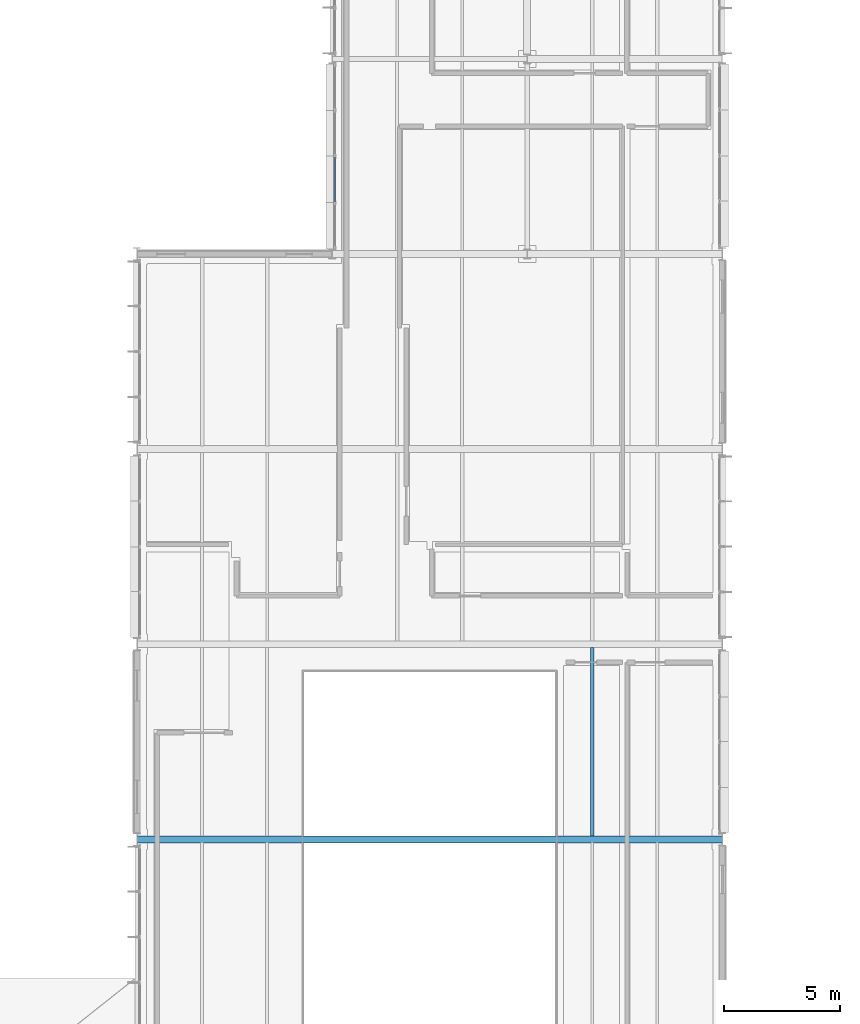
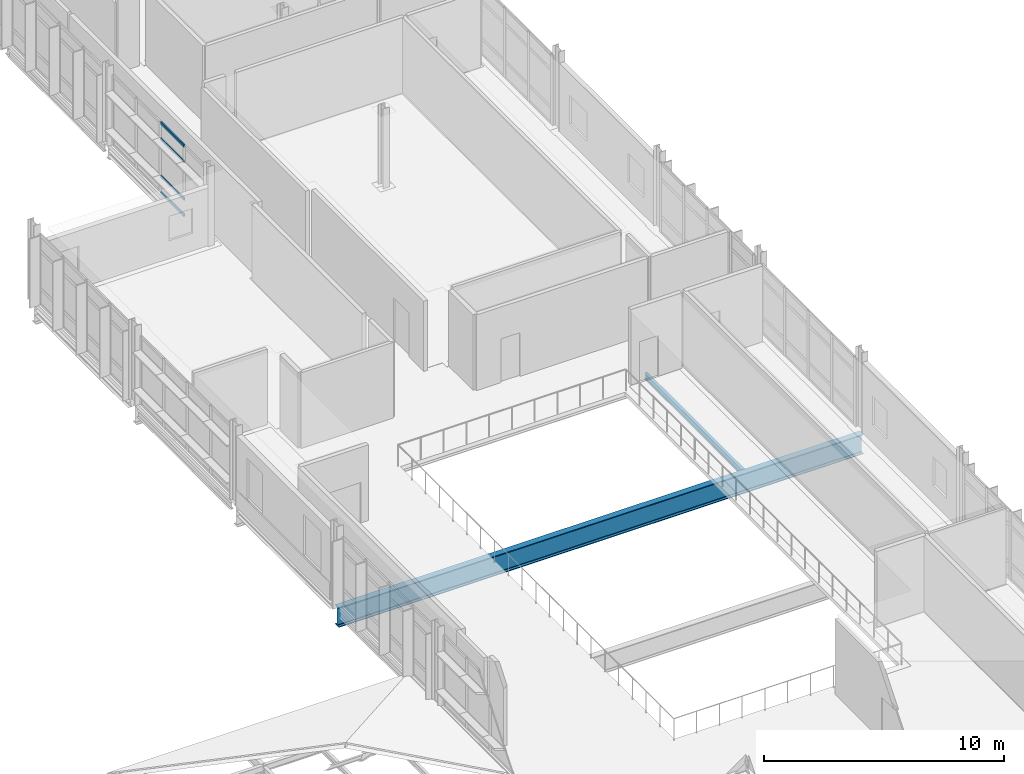
# One storey, part 59 of 151: 4 members, 2 beams, 1 element without a shape of its own.
"""IFC4 building model written with IfcOpenShell, lengths in metres."""

import ifcopenshell
import ifcopenshell.guid

model = None  # the IFC model being written
_history = None  # IfcOwnerHistory: only IFC2X3 demands one
_inside = {}  # id of a spatial element -> (the spatial element, [elements in it])
_under = {}  # id of a project, library or spatial element -> (it, [spatial elements below it])
_declared = {}  # id of a project -> (the project, [libraries it declares])
_typed = {}  # id of a type object -> (the type object, [elements of that type])
_made_of = {}  # id of a material, layer set ... -> (it, [elements and type objects made of it])


def new_model(schema):
    """Start an empty IFC model of exactly this schema.

    Asked for "IFC4X3", IfcOpenShell would pick the latest addendum, in which some entities
    have other attributes; the version numbers below select the first issue.
    IFC2X3 requires an IfcOwnerHistory on every rooted entity: one is made here for all.
    """
    global model, _history
    if schema == "IFC4X3":
        model = ifcopenshell.file(schema_version=(4, 3, 0, 0))
    else:
        model = ifcopenshell.file(schema=schema)
    _inside.clear()
    _under.clear()
    _declared.clear()
    _typed.clear()
    _made_of.clear()
    _history = None
    if model.schema == "IFC2X3":
        org = make("IfcOrganization", Name="unknown")
        user = make(
            "IfcPersonAndOrganization",
            ThePerson=make("IfcPerson", FamilyName="unknown"),
            TheOrganization=org,
        )
        app = make(
            "IfcApplication",
            ApplicationDeveloper=org,
            Version="unknown",
            ApplicationFullName="unknown",
            ApplicationIdentifier="unknown",
        )
        _history = make(
            "IfcOwnerHistory",
            OwningUser=user,
            OwningApplication=app,
            ChangeAction="ADDED",
            CreationDate=0,
        )
    return model


def make(cls, **values):
    """One entity of the class cls with the attributes given. An attribute that is None is left unset."""
    return model.create_entity(
        cls, **{name: value for name, value in values.items() if value is not None}
    )


def rooted(cls, **values):
    """An entity with a GlobalId (a new one), such as an element, a storey or a relation."""
    return make(cls, GlobalId=ifcopenshell.guid.new(), OwnerHistory=_history, **values)


def si_unit(unit_type, name, prefix=None):
    """IfcSIUnit, for example si_unit("LENGTHUNIT", "METRE", prefix="MILLI")."""
    return make("IfcSIUnit", UnitType=unit_type, Prefix=prefix, Name=name)


def assignment(units):
    """IfcUnitAssignment: the units of a project."""
    return None if units is None else make("IfcUnitAssignment", Units=units)


def point(xyz):
    """IfcCartesianPoint."""
    return None if xyz is None else make("IfcCartesianPoint", Coordinates=xyz)


def direction(xyz):
    """IfcDirection."""
    return None if xyz is None else make("IfcDirection", DirectionRatios=xyz)


def frame(location, z_axis=None, x_axis=None):
    """IfcAxis2Placement3D, a coordinate frame: its origin and axes. An axis left out is left unset."""
    return make(
        "IfcAxis2Placement3D",
        Location=point(location),
        Axis=direction(z_axis),
        RefDirection=direction(x_axis),
    )


def frame_2d(location, x_axis=None):
    """IfcAxis2Placement2D, a coordinate frame in the plane: its origin and x axis."""
    return make(
        "IfcAxis2Placement2D", Location=point(location), RefDirection=direction(x_axis)
    )


def origin():
    """The frame at (0, 0, 0) with its axes left unset."""
    return frame((0.0, 0.0, 0.0))


def origin_2d():
    """The frame at (0, 0) in the plane with its x axis left unset."""
    return frame_2d((0.0, 0.0))


def place(relative_to, where):
    """IfcLocalPlacement: puts the frame where relative to a parent placement (None: the world)."""
    return make(
        "IfcLocalPlacement", PlacementRelTo=relative_to, RelativePlacement=where
    )


def context(
    kind, dimensions, precision=None, world=None, true_north=None, identifier=None
):
    """IfcGeometricRepresentationContext, for example the 3D "Model" context."""
    return make(
        "IfcGeometricRepresentationContext",
        ContextIdentifier=identifier,
        ContextType=kind,
        CoordinateSpaceDimension=dimensions,
        Precision=precision,
        WorldCoordinateSystem=world,
        TrueNorth=true_north,
    )


def subcontext(parent, identifier, kind, view, scale=None):
    """IfcGeometricRepresentationSubContext, for example "Body" below "Model"."""
    return make(
        "IfcGeometricRepresentationSubContext",
        ContextIdentifier=identifier,
        ContextType=kind,
        ParentContext=parent,
        TargetScale=scale,
        TargetView=view,
    )


def project(units=None, contexts=None):
    """IfcProject with its units and contexts."""
    return rooted(
        "IfcProject",
        Name="project",
        RepresentationContexts=contexts,
        UnitsInContext=assignment(units),
    )


def spatial(cls, under=None, at=None, **own):
    """A site, building, storey or space (cls), placed at a placement, below another one or the project."""
    s = rooted(cls, ObjectPlacement=at, **own)
    if under is not None:
        _under.setdefault(under.id(), (under, []))[1].append(s)
    return s


def profile(cls, at=None, kind="AREA", **sizes):
    """A parametric profile (cls). Its sizes go by their IFC names, for example OverallWidth=200.0."""
    return make(cls, ProfileType=kind, Position=at, **sizes)


def hollow_rectangle(**sizes):
    """IfcRectangleHollowProfileDef."""
    return profile("IfcRectangleHollowProfileDef", **sizes)


def i_section(**sizes):
    """IfcIShapeProfileDef."""
    return profile("IfcIShapeProfileDef", **sizes)


def extrude(swept, where, along, depth):
    """IfcExtrudedAreaSolid: the profile swept, set in the frame where, extruded along a direction by depth."""
    return make(
        "IfcExtrudedAreaSolid",
        SweptArea=swept,
        Position=where,
        ExtrudedDirection=direction(along),
        Depth=depth,
    )


def shape(context_of_items, identifier, shape_type, items):
    """IfcShapeRepresentation: the items that make up one representation, for example the "Body"."""
    return make(
        "IfcShapeRepresentation",
        ContextOfItems=context_of_items,
        RepresentationIdentifier=identifier,
        RepresentationType=shape_type,
        Items=items,
    )


def material(Name=None, Category=None):
    """IfcMaterial."""
    return make("IfcMaterial", Name=Name, Category=Category)


def material_profile(
    of_material, cross_section, Name=None, Category=None, Priority=None
):
    """IfcMaterialProfile: a cross section and its material."""
    return make(
        "IfcMaterialProfile",
        Name=Name,
        Material=of_material,
        Profile=cross_section,
        Priority=Priority,
        Category=Category,
    )


def profile_set(profiles, Name=None, composite=None):
    """IfcMaterialProfileSet."""
    return make(
        "IfcMaterialProfileSet",
        Name=Name,
        MaterialProfiles=profiles,
        CompositeProfile=composite,
    )


def made_of(thing, what):
    """Note that an element or type object is made of a material, layer set ...; save() writes the relation."""
    if what is not None:
        _made_of.setdefault(what.id(), (what, []))[1].append(thing)
    return thing


def type_object(cls, material=None, **own):
    """A type object (cls), such as IfcWallType, which elements share."""
    return made_of(rooted(cls, **own), material)


def element(
    cls,
    number,
    at=None,
    inside=None,
    cuts=None,
    type_object=None,
    material=None,
    context=None,
    identifier="Body",
    shape_type=None,
    held_by="IfcProductDefinitionShape",
    body=None,
    shapes=None,
    **own,
):
    """One element of the class cls, such as IfcWall. Its Tag is "e" and its number.

    at: its placement. inside: the storey or other place that contains it. cuts: it is an
    opening in that element (IfcRelVoidsElement). A single representation is given by context,
    identifier, shape_type and body (its items); several are given by shapes. held_by: the class
    of the entity that holds the representations. save() writes the other relations.
    """
    e = rooted(cls, Tag="e%d" % number, ObjectPlacement=at, **own)
    if body is not None:
        shapes = [shape(context, identifier, shape_type, body)]
    if shapes is not None:
        e.Representation = make(held_by, Representations=shapes)
    if inside is not None:
        _inside.setdefault(inside.id(), (inside, []))[1].append(e)
    if cuts is not None:
        rooted(
            "IfcRelVoidsElement", RelatingBuildingElement=cuts, RelatedOpeningElement=e
        )
    if type_object is not None:
        _typed.setdefault(type_object.id(), (type_object, []))[1].append(e)
    return made_of(e, material)


def aggregate(whole, parts):
    """IfcRelAggregates: a whole, such as a stair, and the parts it consists of."""
    return rooted("IfcRelAggregates", RelatingObject=whole, RelatedObjects=parts)


def save(model, path):
    """Write the relations noted so far, then the file.

    IfcRelAggregates (storeys below a building ...), IfcRelContainedInSpatialStructure (elements
    in a storey), IfcRelDefinesByType, IfcRelAssociatesMaterial and IfcRelDeclares: one each for
    every whole, place, type object, material and project.
    """
    for whole, parts in _under.values():
        aggregate(whole, parts)
    for where, things in _inside.values():
        rooted(
            "IfcRelContainedInSpatialStructure",
            RelatedElements=things,
            RelatingStructure=where,
        )
    for kind, things in _typed.values():
        rooted("IfcRelDefinesByType", RelatedObjects=things, RelatingType=kind)
    for what, things in _made_of.values():
        rooted("IfcRelAssociatesMaterial", RelatedObjects=things, RelatingMaterial=what)
    for by, libraries in _declared.values():
        rooted("IfcRelDeclares", RelatingContext=by, RelatedDefinitions=libraries)
    model.write(path)


model = new_model("IFC4")

# Units and contexts
model_context = context("Model", 3, precision=1e-05, world=origin(), true_north=direction((0.0, 1.0)))
body_context = subcontext(model_context, "Body", "Model", "MODEL_VIEW")
ifc_project = project(units=[si_unit("LENGTHUNIT", "METRE"), si_unit("AREAUNIT", "SQUARE_METRE"), si_unit("VOLUMEUNIT", "CUBIC_METRE"), si_unit("PLANEANGLEUNIT", "RADIAN"), si_unit("MASSUNIT", "GRAM", prefix="KILO")], contexts=[model_context])

# Site, building, storey
site_placement = place(None, origin())
site = spatial("IfcSite", under=ifc_project, at=site_placement, CompositionType="ELEMENT")
building_placement = place(site_placement, origin())
building = spatial("IfcBuilding", under=site, at=building_placement, Name="Mersafa Astral City Hall", CompositionType="ELEMENT")
storey_placement = place(building_placement, frame((0.0, 0.0, 9.89990234375)))
storey = spatial("IfcBuildingStorey", under=building, at=storey_placement, Name="L02", CompositionType="ELEMENT", Elevation=9.89990234375)

# Curtain wall, members
ifc_material_1 = material(Name="Anodised bronze aluminium framing", Category="aluminium")
curtain_wall_type = type_object("IfcCurtainWallType", Name="ENV-CW-6", PredefinedType="USERDEFINED", material=ifc_material_1)
curtain_wall_placement = place(storey_placement, origin())
curtain_wall = element("IfcCurtainWall", 1, at=curtain_wall_placement, inside=storey, type_object=curtain_wall_type, Name="L02 Unitised solar curtain wall 143", ObjectType="UNITISED CURTAIN WALL", PredefinedType="USERDEFINED")
ifc_material_profile_1 = material_profile(ifc_material_1, hollow_rectangle(XDim=0.06005859375, YDim=0.139892578125, WallThickness=0.00390625, at=origin_2d()), Name="RHS 60x140x4")
ifc_profile_set_1 = profile_set([ifc_material_profile_1], Name="Anodised bronze aluminium framing")
member_type = type_object("IfcMemberType", Name="ENV-CW-TRN-1", PredefinedType="USERDEFINED", material=ifc_profile_set_1)
member_1_placement = place(storey_placement, frame((100.919921875, 96.570068359375, 0.028076171875), z_axis=(0.0, -1.0, 0.0), x_axis=(1.0, 0.0, 0.0)))
member_1 = element("IfcMember", 2, at=member_1_placement, type_object=member_type, Name="CW-6 transom 3.1", ObjectType="TRANSOM", PredefinedType="USERDEFINED", context=body_context, shape_type="SweptSolid", body=[
    extrude(hollow_rectangle(XDim=0.06005859375, YDim=0.139892578125, WallThickness=0.00390625, at=origin_2d()), origin(), (0.0, 0.0, 1.0), 1.93408203125),
])
member_2_placement = place(storey_placement, frame((100.919921875, 96.570068359375, 0.85009765625), z_axis=(0.0, -1.0, 0.0), x_axis=(1.0, 0.0, 0.0)))
member_2 = element("IfcMember", 3, at=member_2_placement, type_object=member_type, Name="CW-6 transom 3.2", ObjectType="TRANSOM", PredefinedType="USERDEFINED", context=body_context, shape_type="SweptSolid", body=[
    extrude(hollow_rectangle(XDim=0.06005859375, YDim=0.139892578125, WallThickness=0.00390625, at=origin_2d()), origin(), (0.0, 0.0, 1.0), 1.93408203125),
])
member_3_placement = place(storey_placement, frame((100.919921875, 96.570068359375, 2.75), z_axis=(0.0, -1.0, 0.0), x_axis=(1.0, 0.0, 0.0)))
member_3 = element("IfcMember", 4, at=member_3_placement, type_object=member_type, Name="CW-6 transom 3.3", ObjectType="TRANSOM", PredefinedType="USERDEFINED", context=body_context, shape_type="SweptSolid", body=[
    extrude(hollow_rectangle(XDim=0.06005859375, YDim=0.139892578125, WallThickness=0.00390625, at=origin_2d()), origin(), (0.0, 0.0, 1.0), 1.93408203125),
])
member_4_placement = place(storey_placement, frame((100.919921875, 96.570068359375, 3.547119140625), z_axis=(0.0, -1.0, 0.0), x_axis=(1.0, 0.0, 0.0)))
member_4 = element("IfcMember", 5, at=member_4_placement, type_object=member_type, Name="CW-6 transom 3.4", ObjectType="TRANSOM", PredefinedType="USERDEFINED", context=body_context, shape_type="SweptSolid", body=[
    extrude(hollow_rectangle(XDim=0.06005859375, YDim=0.139892578125, WallThickness=0.00390625, at=origin_2d()), origin(), (0.0, 0.0, 1.0), 1.93408203125),
])
aggregate(curtain_wall, [member_1, member_2, member_3, member_4])

# Beams
ifc_material_2 = material(Name="Steel S355", Category="steel")
ifc_material_profile_2 = material_profile(ifc_material_2, i_section(OverallWidth=0.14990234375, OverallDepth=0.300048828125, WebThickness=0.007080078125, FlangeThickness=0.0107421875, FilletRadius=0.014892578125, at=origin_2d()), Name="IPE 300")
ifc_profile_set_2 = profile_set([ifc_material_profile_2], Name="Steel S355")
beam_type_1 = type_object("IfcBeamType", Name="STR-BM-JOIST-IPE300", PredefinedType="JOIST", material=ifc_profile_set_2)
beam_1_placement = place(storey_placement, frame((112.0, 67.344970703125, -0.349853515625), z_axis=(0.0, 1.0, 0.0), x_axis=(-1.0, 0.0, 0.0)))
element("IfcBeam", 6, at=beam_1_placement, inside=storey, type_object=beam_type_1, Name="L02 Composite secondary floor joist 480", PredefinedType="JOIST", context=body_context, shape_type="SweptSolid", body=[
    extrude(i_section(OverallWidth=0.14990234375, OverallDepth=0.300048828125, WebThickness=0.007080078125, FlangeThickness=0.0107421875, FilletRadius=0.014892578125, at=origin_2d()), origin(), (0.0, 0.0, 1.0), 8.110107421875),
])
ifc_material_profile_3 = material_profile(ifc_material_2, i_section(OverallWidth=0.300048828125, OverallDepth=1.0, WebThickness=0.01904296875, FlangeThickness=0.035888671875, FilletRadius=0.030029296875, at=origin_2d()), Name="HEB 1000")
ifc_profile_set_3 = profile_set([ifc_material_profile_3], Name="Steel S355")
beam_type_2 = type_object("IfcBeamType", Name="STR-BM-PORTAL-HEB1000", PredefinedType="BEAM", material=ifc_profile_set_3)
beam_2_placement = place(storey_placement, frame((92.403076171875, 67.199951171875, -0.699951171875), z_axis=(1.0, 0.0, 0.0), x_axis=(0.0, 1.0, 0.0)))
element("IfcBeam", 7, at=beam_2_placement, inside=storey, type_object=beam_type_2, Name="L02 Public Service Hall clear-span portal girder 8", PredefinedType="BEAM", context=body_context, shape_type="SweptSolid", body=[
    extrude(i_section(OverallWidth=0.300048828125, OverallDepth=1.0, WebThickness=0.01904296875, FlangeThickness=0.035888671875, FilletRadius=0.030029296875, at=origin_2d()), origin(), (0.0, 0.0, 1.0), 25.19384765625),
])

save(model, "model.ifc")
